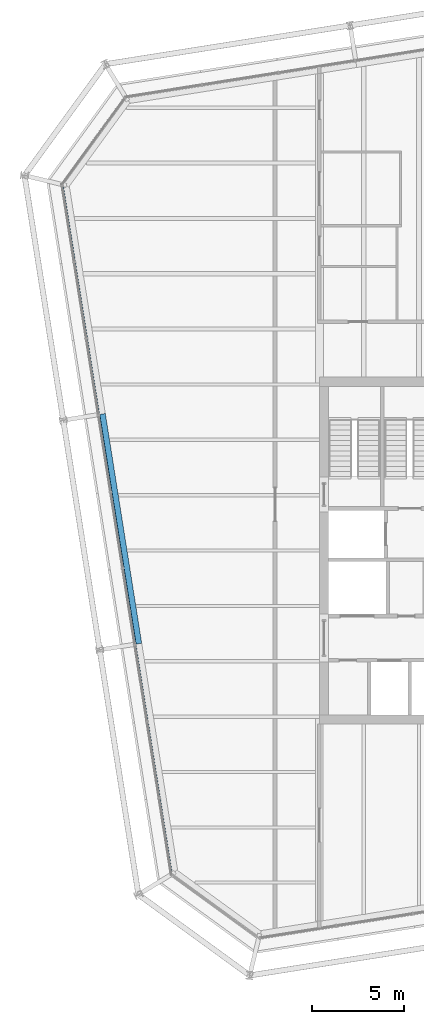
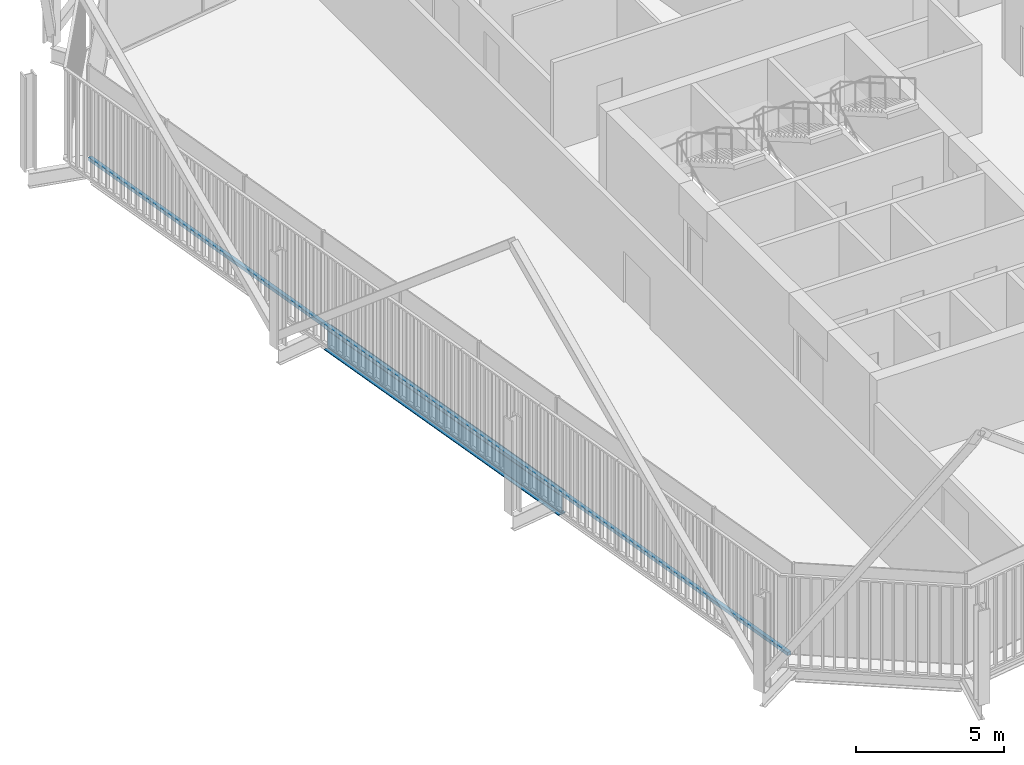
# One storey, part 6 of 21: 1 beam, 1 member, 1 element without a shape of its own.
"""IFC4 building model written with IfcOpenShell, lengths in metres."""

from ifc_helpers import new_model, si_unit, direction, frame, origin, origin_2d, place, context, subcontext, project, spatial, rectangle, i_section, extrude, material, layer, layer_set, material_profile, profile_set, type_object, element, aggregate, save


model = new_model("IFC4")

# Units and contexts
model_context = context("Model", 3, precision=1e-05, world=origin(), true_north=direction((0.0, 1.0)))
body_context = subcontext(model_context, "Body", "Model", "MODEL_VIEW")
ifc_project = project(units=[si_unit("LENGTHUNIT", "METRE"), si_unit("AREAUNIT", "SQUARE_METRE"), si_unit("VOLUMEUNIT", "CUBIC_METRE"), si_unit("PLANEANGLEUNIT", "RADIAN"), si_unit("MASSUNIT", "GRAM", prefix="KILO")], contexts=[model_context])

# Site, building, storey
site_placement = place(None, origin())
site = spatial("IfcSite", under=ifc_project, at=site_placement, CompositionType="ELEMENT")
building_placement = place(site_placement, origin())
building = spatial("IfcBuilding", under=site, at=building_placement, Name="Millrace Tower", CompositionType="ELEMENT")
storey_placement = place(building_placement, frame((0.0, 0.0, 235.89990234375)))
storey = spatial("IfcBuildingStorey", under=building, at=storey_placement, Name="L54", CompositionType="ELEMENT", Elevation=235.89990234375)

# Curtain wall, member
ifc_material_1 = material(Name="Aluminium and glass", Category="aluminium")
ifc_layer = layer(ifc_material_1, 0.14990234375)
ifc_layer_set = layer_set([ifc_layer], Name="Aluminium and glass")
curtain_wall_type = type_object("IfcCurtainWallType", Name="CW-1 office vision curtain wall", PredefinedType="NOTDEFINED", material=ifc_layer_set)
curtain_wall_placement = place(storey_placement, origin())
curtain_wall = element("IfcCurtainWall", 1, at=curtain_wall_placement, inside=storey, type_object=curtain_wall_type, Name="Curtain wall D-F08 L54", PredefinedType="NOTDEFINED")
ifc_material_2 = material(Name="Aluminium", Category="aluminium")
ifc_material_profile_1 = material_profile(ifc_material_2, rectangle(XDim=0.14990234375, YDim=0.139892578125, at=origin_2d()))
ifc_profile_set_1 = profile_set([ifc_material_profile_1], Name="Aluminium")
member_type = type_object("IfcMemberType", Name="CW-1 office vision curtain wall transom", PredefinedType="USERDEFINED", material=ifc_profile_set_1)
member_placement = place(storey_placement, frame((-28.331787109375, 19.708740234375, 0.070068359375), z_axis=(0.156432359726, -0.987688674042, 0.0), x_axis=(0.987688674042, 0.156432359726, 0.0)))
member = element("IfcMember", 2, at=member_placement, type_object=member_type, Name="CW1 transom D-F08.1", ObjectType="TRANSOM", PredefinedType="USERDEFINED", context=body_context, shape_type="SweptSolid", body=[
    extrude(rectangle(XDim=0.14990234375, YDim=0.139892578125, at=origin_2d()), origin(), (0.0, 0.0, 1.0), 37.599853515625),
])
aggregate(curtain_wall, [member])

# Beam
ifc_material_3 = material(Name="Steel ASTM A992 Grade 50", Category="steel")
ifc_material_profile_2 = material_profile(ifc_material_3, i_section(OverallWidth=0.307373046875, OverallDepth=0.927001953125, WebThickness=0.01953125, FlangeThickness=0.031982421875, FilletRadius=0.01904296875, at=origin_2d()))
ifc_profile_set_2 = profile_set([ifc_material_profile_2], Name="Steel ASTM A992 Grade 50")
beam_type = type_object("IfcBeamType", Name="Ring beam medium span W36x194", PredefinedType="SPANDREL", material=ifc_profile_set_2)
beam_placement = place(storey_placement, frame((-24.179443359375, -5.04638671875, -0.62353515625), z_axis=(-0.1564441342, 0.987686809102, 0.0), x_axis=(-0.987686809102, -0.1564441342, 0.0)))
element("IfcBeam", 3, at=beam_placement, inside=storey, type_object=beam_type, Name="RNG-D-L54-S1-02", PredefinedType="SPANDREL", context=body_context, shape_type="SweptSolid", body=[
    extrude(i_section(OverallWidth=0.307373046875, OverallDepth=0.927001953125, WebThickness=0.01953125, FlangeThickness=0.031982421875, FilletRadius=0.01904296875, at=origin_2d()), origin(), (0.0, 0.0, 1.0), 12.599853515625),
])

save(model, "model.ifc")
